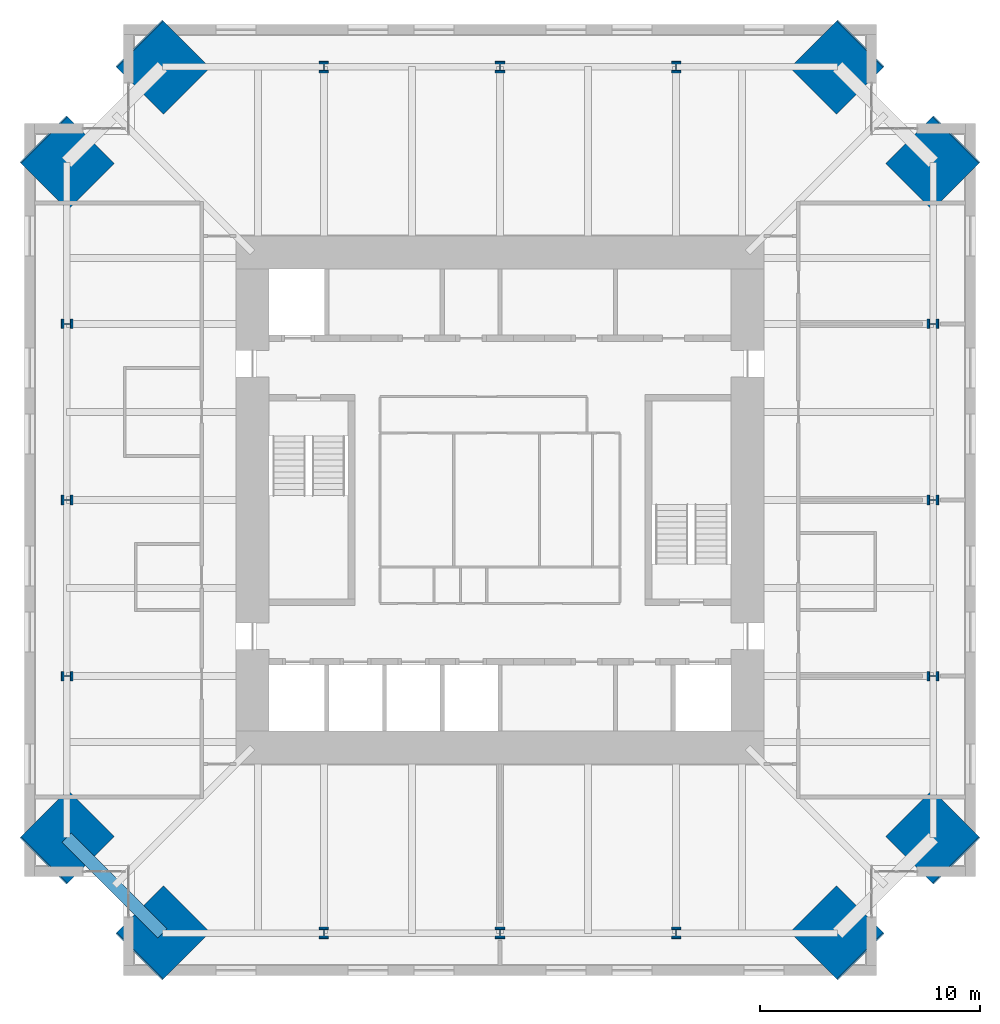
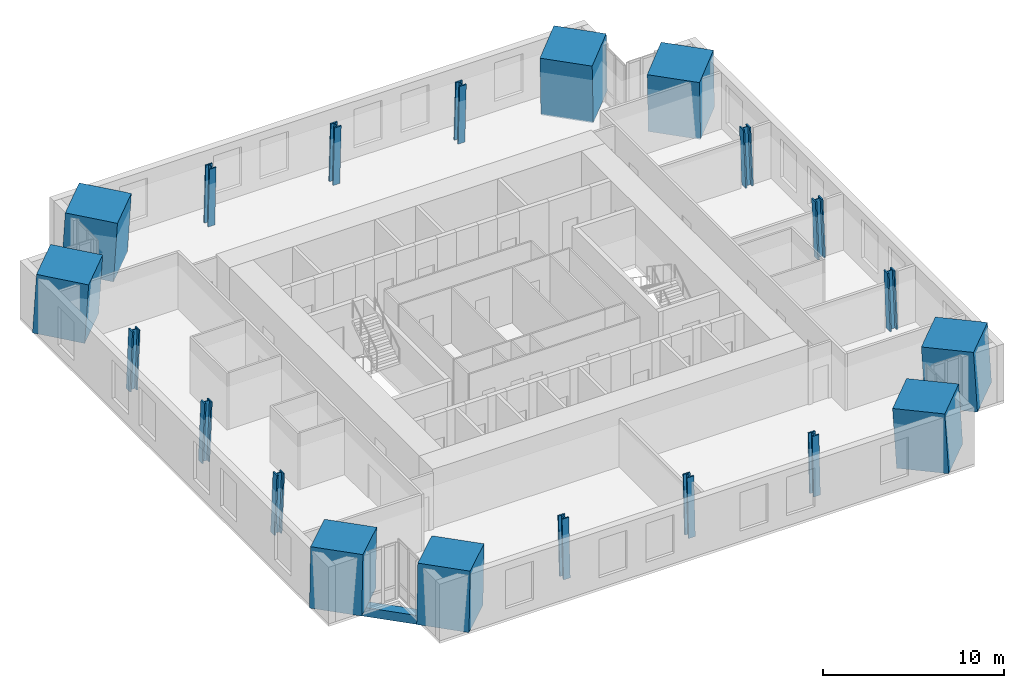
# One storey, part 1 of 16: 20 columns, 1 beam.
"""IFC4 building model written with IfcOpenShell, lengths in metres."""

import ifcopenshell
import ifcopenshell.guid

model = None  # the IFC model being written
_history = None  # IfcOwnerHistory: only IFC2X3 demands one
_inside = {}  # id of a spatial element -> (the spatial element, [elements in it])
_under = {}  # id of a project, library or spatial element -> (it, [spatial elements below it])
_declared = {}  # id of a project -> (the project, [libraries it declares])
_typed = {}  # id of a type object -> (the type object, [elements of that type])
_made_of = {}  # id of a material, layer set ... -> (it, [elements and type objects made of it])


def new_model(schema):
    """Start an empty IFC model of exactly this schema.

    Asked for "IFC4X3", IfcOpenShell would pick the latest addendum, in which some entities
    have other attributes; the version numbers below select the first issue.
    IFC2X3 requires an IfcOwnerHistory on every rooted entity: one is made here for all.
    """
    global model, _history
    if schema == "IFC4X3":
        model = ifcopenshell.file(schema_version=(4, 3, 0, 0))
    else:
        model = ifcopenshell.file(schema=schema)
    _inside.clear()
    _under.clear()
    _declared.clear()
    _typed.clear()
    _made_of.clear()
    _history = None
    if model.schema == "IFC2X3":
        org = make("IfcOrganization", Name="unknown")
        user = make(
            "IfcPersonAndOrganization",
            ThePerson=make("IfcPerson", FamilyName="unknown"),
            TheOrganization=org,
        )
        app = make(
            "IfcApplication",
            ApplicationDeveloper=org,
            Version="unknown",
            ApplicationFullName="unknown",
            ApplicationIdentifier="unknown",
        )
        _history = make(
            "IfcOwnerHistory",
            OwningUser=user,
            OwningApplication=app,
            ChangeAction="ADDED",
            CreationDate=0,
        )
    return model


def make(cls, **values):
    """One entity of the class cls with the attributes given. An attribute that is None is left unset."""
    return model.create_entity(
        cls, **{name: value for name, value in values.items() if value is not None}
    )


def rooted(cls, **values):
    """An entity with a GlobalId (a new one), such as an element, a storey or a relation."""
    return make(cls, GlobalId=ifcopenshell.guid.new(), OwnerHistory=_history, **values)


def si_unit(unit_type, name, prefix=None):
    """IfcSIUnit, for example si_unit("LENGTHUNIT", "METRE", prefix="MILLI")."""
    return make("IfcSIUnit", UnitType=unit_type, Prefix=prefix, Name=name)


def assignment(units):
    """IfcUnitAssignment: the units of a project."""
    return None if units is None else make("IfcUnitAssignment", Units=units)


def point(xyz):
    """IfcCartesianPoint."""
    return None if xyz is None else make("IfcCartesianPoint", Coordinates=xyz)


def direction(xyz):
    """IfcDirection."""
    return None if xyz is None else make("IfcDirection", DirectionRatios=xyz)


def frame(location, z_axis=None, x_axis=None):
    """IfcAxis2Placement3D, a coordinate frame: its origin and axes. An axis left out is left unset."""
    return make(
        "IfcAxis2Placement3D",
        Location=point(location),
        Axis=direction(z_axis),
        RefDirection=direction(x_axis),
    )


def frame_2d(location, x_axis=None):
    """IfcAxis2Placement2D, a coordinate frame in the plane: its origin and x axis."""
    return make(
        "IfcAxis2Placement2D", Location=point(location), RefDirection=direction(x_axis)
    )


def origin():
    """The frame at (0, 0, 0) with its axes left unset."""
    return frame((0.0, 0.0, 0.0))


def origin_2d():
    """The frame at (0, 0) in the plane with its x axis left unset."""
    return frame_2d((0.0, 0.0))


def place(relative_to, where):
    """IfcLocalPlacement: puts the frame where relative to a parent placement (None: the world)."""
    return make(
        "IfcLocalPlacement", PlacementRelTo=relative_to, RelativePlacement=where
    )


def context(
    kind, dimensions, precision=None, world=None, true_north=None, identifier=None
):
    """IfcGeometricRepresentationContext, for example the 3D "Model" context."""
    return make(
        "IfcGeometricRepresentationContext",
        ContextIdentifier=identifier,
        ContextType=kind,
        CoordinateSpaceDimension=dimensions,
        Precision=precision,
        WorldCoordinateSystem=world,
        TrueNorth=true_north,
    )


def subcontext(parent, identifier, kind, view, scale=None):
    """IfcGeometricRepresentationSubContext, for example "Body" below "Model"."""
    return make(
        "IfcGeometricRepresentationSubContext",
        ContextIdentifier=identifier,
        ContextType=kind,
        ParentContext=parent,
        TargetScale=scale,
        TargetView=view,
    )


def project(units=None, contexts=None):
    """IfcProject with its units and contexts."""
    return rooted(
        "IfcProject",
        Name="project",
        RepresentationContexts=contexts,
        UnitsInContext=assignment(units),
    )


def spatial(cls, under=None, at=None, **own):
    """A site, building, storey or space (cls), placed at a placement, below another one or the project."""
    s = rooted(cls, ObjectPlacement=at, **own)
    if under is not None:
        _under.setdefault(under.id(), (under, []))[1].append(s)
    return s


def profile(cls, at=None, kind="AREA", **sizes):
    """A parametric profile (cls). Its sizes go by their IFC names, for example OverallWidth=200.0."""
    return make(cls, ProfileType=kind, Position=at, **sizes)


def rectangle(**sizes):
    """IfcRectangleProfileDef."""
    return profile("IfcRectangleProfileDef", **sizes)


def hollow_rectangle(**sizes):
    """IfcRectangleHollowProfileDef."""
    return profile("IfcRectangleHollowProfileDef", **sizes)


def i_section(**sizes):
    """IfcIShapeProfileDef."""
    return profile("IfcIShapeProfileDef", **sizes)


def extrude(swept, where, along, depth):
    """IfcExtrudedAreaSolid: the profile swept, set in the frame where, extruded along a direction by depth."""
    return make(
        "IfcExtrudedAreaSolid",
        SweptArea=swept,
        Position=where,
        ExtrudedDirection=direction(along),
        Depth=depth,
    )


def shape(context_of_items, identifier, shape_type, items):
    """IfcShapeRepresentation: the items that make up one representation, for example the "Body"."""
    return make(
        "IfcShapeRepresentation",
        ContextOfItems=context_of_items,
        RepresentationIdentifier=identifier,
        RepresentationType=shape_type,
        Items=items,
    )


def material(Name=None, Category=None):
    """IfcMaterial."""
    return make("IfcMaterial", Name=Name, Category=Category)


def material_profile(
    of_material, cross_section, Name=None, Category=None, Priority=None
):
    """IfcMaterialProfile: a cross section and its material."""
    return make(
        "IfcMaterialProfile",
        Name=Name,
        Material=of_material,
        Profile=cross_section,
        Priority=Priority,
        Category=Category,
    )


def profile_set(profiles, Name=None, composite=None):
    """IfcMaterialProfileSet."""
    return make(
        "IfcMaterialProfileSet",
        Name=Name,
        MaterialProfiles=profiles,
        CompositeProfile=composite,
    )


def made_of(thing, what):
    """Note that an element or type object is made of a material, layer set ...; save() writes the relation."""
    if what is not None:
        _made_of.setdefault(what.id(), (what, []))[1].append(thing)
    return thing


def type_object(cls, material=None, **own):
    """A type object (cls), such as IfcWallType, which elements share."""
    return made_of(rooted(cls, **own), material)


def element(
    cls,
    number,
    at=None,
    inside=None,
    cuts=None,
    type_object=None,
    material=None,
    context=None,
    identifier="Body",
    shape_type=None,
    held_by="IfcProductDefinitionShape",
    body=None,
    shapes=None,
    **own,
):
    """One element of the class cls, such as IfcWall. Its Tag is "e" and its number.

    at: its placement. inside: the storey or other place that contains it. cuts: it is an
    opening in that element (IfcRelVoidsElement). A single representation is given by context,
    identifier, shape_type and body (its items); several are given by shapes. held_by: the class
    of the entity that holds the representations. save() writes the other relations.
    """
    e = rooted(cls, Tag="e%d" % number, ObjectPlacement=at, **own)
    if body is not None:
        shapes = [shape(context, identifier, shape_type, body)]
    if shapes is not None:
        e.Representation = make(held_by, Representations=shapes)
    if inside is not None:
        _inside.setdefault(inside.id(), (inside, []))[1].append(e)
    if cuts is not None:
        rooted(
            "IfcRelVoidsElement", RelatingBuildingElement=cuts, RelatedOpeningElement=e
        )
    if type_object is not None:
        _typed.setdefault(type_object.id(), (type_object, []))[1].append(e)
    return made_of(e, material)


def aggregate(whole, parts):
    """IfcRelAggregates: a whole, such as a stair, and the parts it consists of."""
    return rooted("IfcRelAggregates", RelatingObject=whole, RelatedObjects=parts)


def save(model, path):
    """Write the relations noted so far, then the file.

    IfcRelAggregates (storeys below a building ...), IfcRelContainedInSpatialStructure (elements
    in a storey), IfcRelDefinesByType, IfcRelAssociatesMaterial and IfcRelDeclares: one each for
    every whole, place, type object, material and project.
    """
    for whole, parts in _under.values():
        aggregate(whole, parts)
    for where, things in _inside.values():
        rooted(
            "IfcRelContainedInSpatialStructure",
            RelatedElements=things,
            RelatingStructure=where,
        )
    for kind, things in _typed.values():
        rooted("IfcRelDefinesByType", RelatedObjects=things, RelatingType=kind)
    for what, things in _made_of.values():
        rooted("IfcRelAssociatesMaterial", RelatedObjects=things, RelatingMaterial=what)
    for by, libraries in _declared.values():
        rooted("IfcRelDeclares", RelatingContext=by, RelatedDefinitions=libraries)
    model.write(path)


model = new_model("IFC4")

# Units and contexts
model_context = context("Model", 3, precision=1e-05, world=origin(), true_north=direction((0.0, 1.0)))
body_context = subcontext(model_context, "Body", "Model", "MODEL_VIEW")
ifc_project = project(units=[si_unit("LENGTHUNIT", "METRE"), si_unit("AREAUNIT", "SQUARE_METRE"), si_unit("VOLUMEUNIT", "CUBIC_METRE"), si_unit("PLANEANGLEUNIT", "RADIAN"), si_unit("MASSUNIT", "GRAM", prefix="KILO")], contexts=[model_context])

# Site, building, storey
site_placement = place(None, origin())
site = spatial("IfcSite", under=ifc_project, at=site_placement, CompositionType="ELEMENT")
building_placement = place(site_placement, origin())
building = spatial("IfcBuilding", under=site, at=building_placement, Name="Peilmerk Tower", CompositionType="ELEMENT")
storey_placement = place(building_placement, frame((0.0, 0.0, 277.800048828125)))
storey = spatial("IfcBuildingStorey", under=building, at=storey_placement, Name="L62", CompositionType="ELEMENT", Elevation=277.800048828125)

# Columns
ifc_material_1 = material(Name="Concrete C90/105", Category="concrete")
ifc_material_profile_1 = material_profile(ifc_material_1, rectangle(XDim=3.0, YDim=3.0, at=origin_2d()), Name="RC 3000x3000")
ifc_profile_set_1 = profile_set([ifc_material_profile_1], Name="Concrete C90/105")
column_type_1 = type_object("IfcColumnType", Name="MC3 3000x3000 encased mega column", PredefinedType="COLUMN", material=ifc_profile_set_1)
for number, where, z_axis, x_axis, name in (
    (1, (15.34521484375, 19.695068359375, 0.0), (-0.040278830354, -0.040217894151, 0.998378754189), (0.706571297296, -0.707641859868, 0.0), "Mega column MC3 NE_N L62"),
    (2, (19.695068359375, 15.34521484375, 0.0), (-0.040217894151, -0.040278830354, 0.998378754189), (0.707641859868, -0.706571297296, 0.0), "Mega column MC3 NE_E L62"),
    (3, (19.695068359375, -15.34521484375, 0.0), (-0.040217894151, 0.040278830354, 0.998378754189), (-0.707641859868, -0.706571297296, 0.0), "Mega column MC3 SE_E L62"),
    (4, (15.34521484375, -19.695068359375, 0.0), (-0.040278830354, 0.040217894151, 0.998378754189), (-0.706571297296, -0.707641859868, 0.0), "Mega column MC3 SE_S L62"),
    (5, (-15.34521484375, -19.695068359375, 0.0), (0.040278830354, 0.040217894151, 0.998378754189), (-0.706571297296, 0.707641859868, 0.0), "Mega column MC3 SW_S L62"),
    (6, (-19.695068359375, -15.34521484375, 0.0), (0.040217894151, 0.040278830354, 0.998378754189), (-0.707641859868, 0.706571297296, 0.0), "Mega column MC3 SW_W L62"),
    (7, (-19.695068359375, 15.34521484375, 0.0), (0.040217894151, -0.040278830354, 0.998378754189), (0.707641859868, 0.706571297296, 0.0), "Mega column MC3 NW_W L62"),
    (8, (-15.34521484375, 19.695068359375, 0.0), (0.040278830354, -0.040217894151, 0.998378754189), (0.706571297296, 0.707641859868, 0.0), "Mega column MC3 NW_N L62"),
):
    element("IfcColumn", number, at=place(storey_placement, frame(where, z_axis=z_axis, x_axis=x_axis)), inside=storey, type_object=column_type_1, Name=name, PredefinedType="COLUMN", context=body_context, shape_type="SweptSolid", body=[
        extrude(rectangle(XDim=3.0, YDim=3.0, at=origin_2d()), origin(), (0.0, 0.0, 1.0), 4.006591796875),
    ])
ifc_material_2 = material(Name="Steel S460", Category="steel")
ifc_material_profile_2 = material_profile(ifc_material_2, i_section(OverallWidth=0.431884765625, OverallDepth=0.498046875, WebThickness=0.0556640625, FlangeThickness=0.0888671875, at=origin_2d()), Name="HD 400x744")
ifc_profile_set_2 = profile_set([ifc_material_profile_2], Name="Steel S460")
column_type_2 = type_object("IfcColumnType", Name="SC7 HD 400x744 perimeter column", PredefinedType="COLUMN", material=ifc_profile_set_2)
for number, where, z_axis, x_axis, name in (
    (9, (0.0, 19.695068359375, 0.0), (0.0, -0.040250558339, 0.999189617917), (1.0, 0.0, 0.0), "Perimeter column N+0 L62"),
    (10, (8.0, 19.695068359375, 0.0), (0.0, -0.040250558339, 0.999189617917), (1.0, 0.0, 0.0), "Perimeter column N-8 L62"),
    (11, (-8.0, 19.695068359375, 0.0), (0.0, -0.040250558339, 0.999189617917), (1.0, 0.0, 0.0), "Perimeter column N+8 L62"),
    (12, (19.695068359375, 0.0, 0.0), (-0.040250558339, 0.0, 0.999189617917), (0.0, -1.0, 0.0), "Perimeter column E+0 L62"),
    (13, (19.695068359375, -8.0, 0.0), (-0.040250558339, 0.0, 0.999189617917), (0.0, -1.0, 0.0), "Perimeter column E-8 L62"),
    (14, (19.695068359375, 8.0, 0.0), (-0.040250558339, 0.0, 0.999189617917), (0.0, -1.0, 0.0), "Perimeter column E+8 L62"),
    (15, (0.0, -19.695068359375, 0.0), (0.0, 0.040250558339, 0.999189617917), (-1.0, 0.0, 0.0), "Perimeter column S+0 L62"),
    (16, (-8.0, -19.695068359375, 0.0), (0.0, 0.040250558339, 0.999189617917), (-1.0, 0.0, 0.0), "Perimeter column S-8 L62"),
    (17, (8.0, -19.695068359375, 0.0), (0.0, 0.040250558339, 0.999189617917), (-1.0, 0.0, 0.0), "Perimeter column S+8 L62"),
    (18, (-19.695068359375, 0.0, 0.0), (0.040250558339, 0.0, 0.999189617917), (0.0, 1.0, 0.0), "Perimeter column W+0 L62"),
    (19, (-19.695068359375, 8.0, 0.0), (0.040250558339, 0.0, 0.999189617917), (0.0, 1.0, 0.0), "Perimeter column W-8 L62"),
    (20, (-19.695068359375, -8.0, 0.0), (0.040250558339, 0.0, 0.999189617917), (0.0, 1.0, 0.0), "Perimeter column W+8 L62"),
):
    element("IfcColumn", number, at=place(storey_placement, frame(where, z_axis=z_axis, x_axis=x_axis)), inside=storey, type_object=column_type_2, Name=name, PredefinedType="COLUMN", context=body_context, shape_type="SweptSolid", body=[
        extrude(i_section(OverallWidth=0.431884765625, OverallDepth=0.498046875, WebThickness=0.0556640625, FlangeThickness=0.0888671875, at=origin_2d()), origin(), (0.0, 0.0, 1.0), 4.003173828125),
    ])

# Beam
ifc_material_profile_3 = material_profile(ifc_material_2, hollow_rectangle(XDim=0.60009765625, YDim=0.60009765625, WallThickness=0.06005859375, at=origin_2d()), Name="BOX 600x600x60")
ifc_profile_set_3 = profile_set([ifc_material_profile_3], Name="Steel S460")
beam_type = type_object("IfcBeamType", Name="B20 BOX 600x600x60 notch beam", PredefinedType="SPANDREL", material=ifc_profile_set_3)
beam_placement = place(storey_placement, frame((-15.34521484375, -19.695068359375, -0.469970703125), z_axis=(-0.707106781187, 0.707106781187, 0.0), x_axis=(-0.707106781187, -0.707106781187, 0.0)))
element("IfcBeam", 21, at=beam_placement, inside=storey, type_object=beam_type, Name="Notch beam L62", PredefinedType="SPANDREL", context=body_context, shape_type="SweptSolid", body=[
    extrude(hollow_rectangle(XDim=0.60009765625, YDim=0.60009765625, WallThickness=0.06005859375, at=origin_2d()), origin(), (0.0, 0.0, 1.0), 6.151611328125),
])

save(model, "model.ifc")
